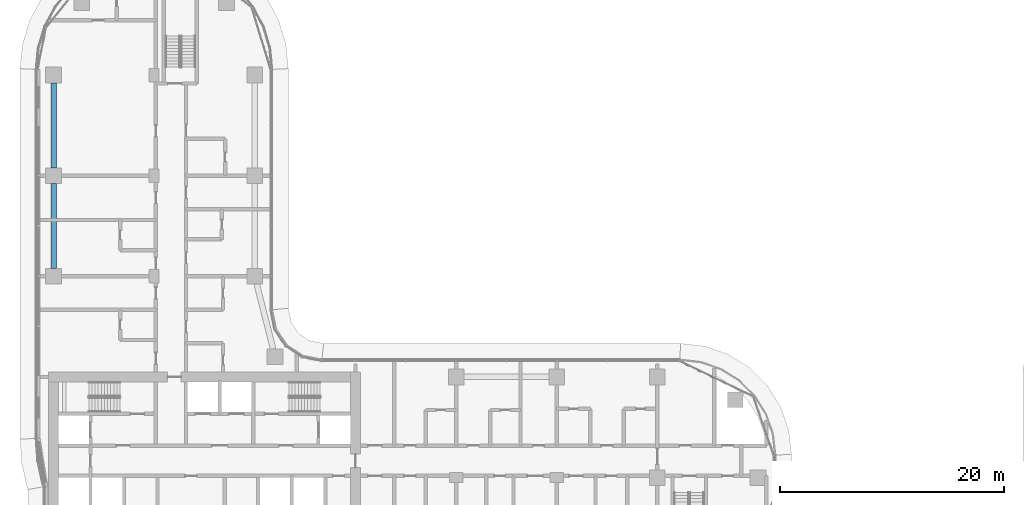
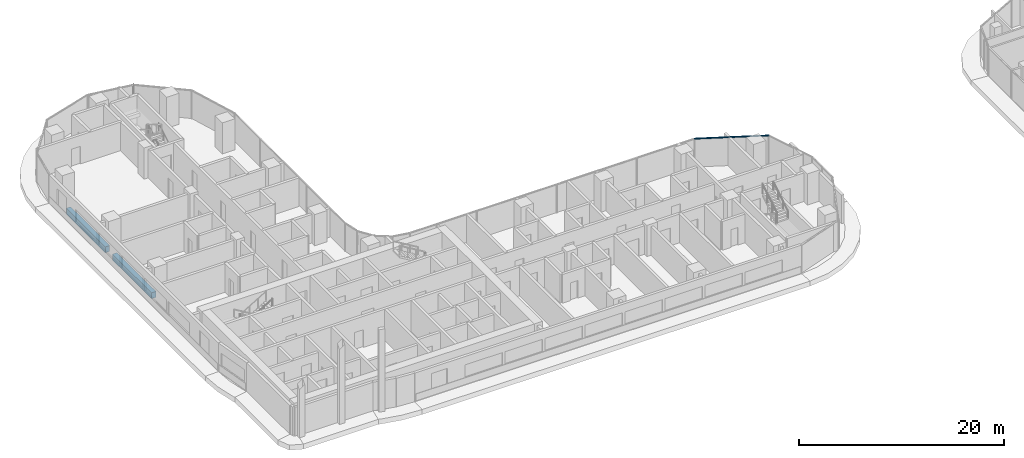
# One storey, part 5 of 36: 2 beams, 1 member, 1 element without a shape of its own.
"""IFC4 building model written with IfcOpenShell, lengths in metres."""

from ifc_helpers import new_model, si_unit, direction, frame, origin, origin_2d, place, context, subcontext, project, spatial, rectangle, extrude, material, material_profile, profile_set, type_object, element, aggregate, save


model = new_model("IFC4")

# Units and contexts
model_context = context("Model", 3, precision=1e-05, world=origin(), true_north=direction((0.0, 1.0)))
body_context = subcontext(model_context, "Body", "Model", "MODEL_VIEW")
ifc_project = project(units=[si_unit("LENGTHUNIT", "METRE"), si_unit("AREAUNIT", "SQUARE_METRE"), si_unit("VOLUMEUNIT", "CUBIC_METRE"), si_unit("PLANEANGLEUNIT", "RADIAN"), si_unit("MASSUNIT", "GRAM", prefix="KILO")], contexts=[model_context])

# Site, building, storey
site_placement = place(None, origin())
site = spatial("IfcSite", under=ifc_project, at=site_placement, CompositionType="ELEMENT")
building_placement = place(site_placement, origin())
building = spatial("IfcBuilding", under=site, at=building_placement, Name="Ogive Portal Towers", CompositionType="ELEMENT")
storey_placement = place(building_placement, frame((0.0, 0.0, 70.5)))
storey = spatial("IfcBuildingStorey", under=building, at=storey_placement, Name="L16", CompositionType="ELEMENT", Elevation=70.5)

# Curtain wall, member
ifc_material_1 = material(Name="Glass, clear low-iron insulated glazing", Category="glass")
curtain_wall_type = type_object("IfcCurtainWallType", Name="CW FRONT RIBBON 4500", PredefinedType="NOTDEFINED", material=ifc_material_1)
curtain_wall_placement = place(storey_placement, origin())
curtain_wall = element("IfcCurtainWall", 1, at=curtain_wall_placement, inside=storey, type_object=curtain_wall_type, Name="A:L16:f10:cwa", PredefinedType="NOTDEFINED")
ifc_material_2 = material(Name="Aluminium 6063 anodised", Category="aluminium")
ifc_material_profile_1 = material_profile(ifc_material_2, rectangle(XDim=0.1201171875, YDim=0.06005859375, at=origin_2d()), Name="AL 120x60")
ifc_profile_set_1 = profile_set([ifc_material_profile_1], Name="Aluminium 6063 anodised")
member_type = type_object("IfcMemberType", Name="CW TRANSOM 60x120", PredefinedType="USERDEFINED", material=ifc_profile_set_1)
member_placement = place(storey_placement, frame((94.0810546875, 37.741943359375, 3.3701171875), z_axis=(-0.900974646757, 0.433871738997, 0.0), x_axis=(-0.433871738997, -0.900974646757, 0.0)))
member = element("IfcMember", 2, at=member_placement, type_object=member_type, Name="transom", ObjectType="TRANSOM", PredefinedType="USERDEFINED", context=body_context, shape_type="SweptSolid", body=[
    extrude(rectangle(XDim=0.1201171875, YDim=0.06005859375, at=origin_2d()), origin(), (0.0, 0.0, 1.0), 7.32470703125),
])
aggregate(curtain_wall, [member])

# Beams
ifc_material_3 = material(Name="Concrete C40/50", Category="concrete")
ifc_material_profile_2 = material_profile(ifc_material_3, rectangle(XDim=0.5, YDim=0.699951171875, at=origin_2d()), Name="RC 500x700")
ifc_profile_set_2 = profile_set([ifc_material_profile_2], Name="Concrete C40/50")
beam_type = type_object("IfcBeamType", Name="SPANDREL BEAM RC 500x700", PredefinedType="BEAM", material=ifc_profile_set_2)
for number, where, z_axis, x_axis, name in (
    (3, (31.5, 49.199951171875, -0.64990234375), (0.0, 1.0, 0.0), (-1.0, 0.0, 0.0), "Spandrel beam L16"),
    (4, (31.5, 58.199951171875, -0.64990234375), (0.0, 1.0, 0.0), (-1.0, 0.0, 0.0), "Spandrel beam L16"),
):
    element("IfcBeam", number, at=place(storey_placement, frame(where, z_axis=z_axis, x_axis=x_axis)), inside=storey, type_object=beam_type, Name=name, PredefinedType="BEAM", context=body_context, shape_type="SweptSolid", body=[
        extrude(rectangle(XDim=0.5, YDim=0.699951171875, at=origin_2d()), origin(), (0.0, 0.0, 1.0), 7.60009765625),
    ])

save(model, "model.ifc")
